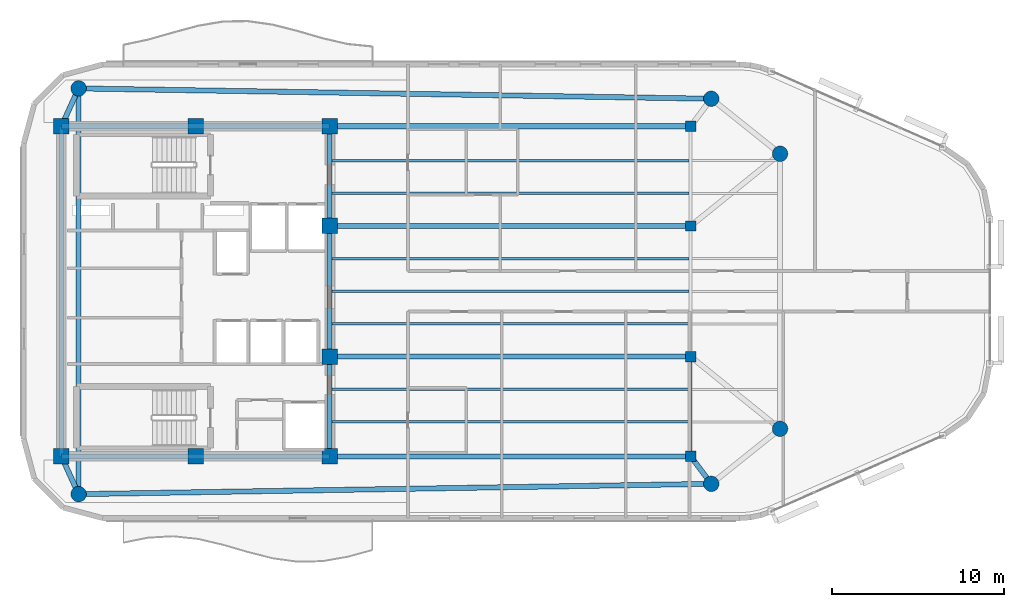
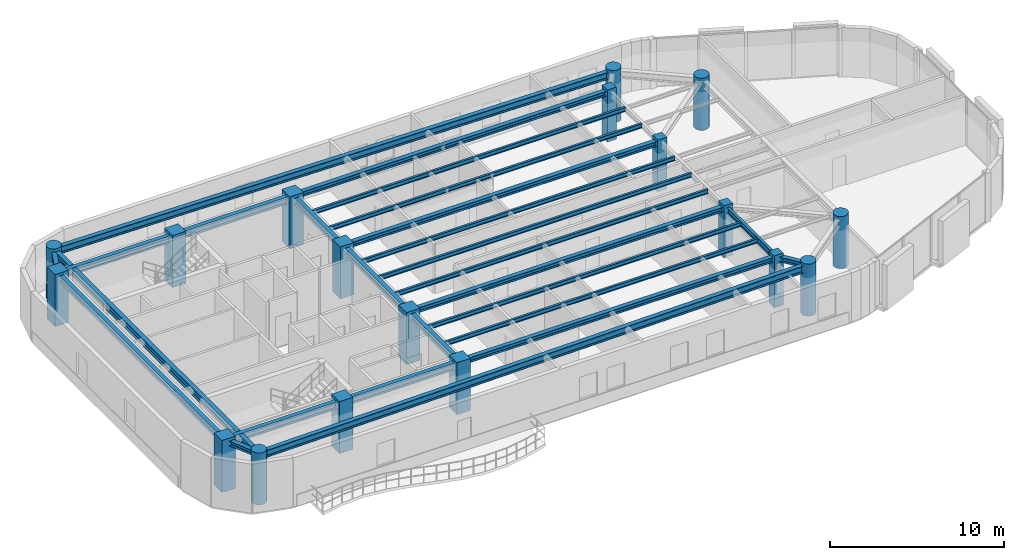
# One storey, part 1 of 14: 24 beams, 18 columns.
"""IFC4 building model written with IfcOpenShell, lengths in metres."""

from ifc_helpers import new_model, si_unit, direction, frame, origin, origin_2d, place, context, subcontext, project, spatial, rectangle, circle, i_section, extrude, material, material_profile, profile_set, type_object, element, save


model = new_model("IFC4")

# Units and contexts
model_context = context("Model", 3, precision=1e-05, world=origin(), true_north=direction((0.0, 1.0)))
body_context = subcontext(model_context, "Body", "Model", "MODEL_VIEW")
ifc_project = project(units=[si_unit("LENGTHUNIT", "METRE"), si_unit("AREAUNIT", "SQUARE_METRE"), si_unit("VOLUMEUNIT", "CUBIC_METRE"), si_unit("PLANEANGLEUNIT", "RADIAN"), si_unit("MASSUNIT", "GRAM", prefix="KILO")], contexts=[model_context])

# Site, building, storey
site_placement = place(None, origin())
site = spatial("IfcSite", under=ifc_project, at=site_placement, CompositionType="ELEMENT")
building_placement = place(site_placement, origin())
building = spatial("IfcBuilding", under=site, at=building_placement, Name="An Khanh Terracotta Commons", CompositionType="ELEMENT")
storey_placement = place(building_placement, frame((0.0, 0.0, 284.35009765625)))
storey = spatial("IfcBuildingStorey", under=building, at=storey_placement, Name="L74", CompositionType="ELEMENT", Elevation=284.35009765625)

# Columns
ifc_material_1 = material(Name="Concrete C50/60", Category="concrete")
ifc_material_profile_1 = material_profile(ifc_material_1, circle(Radius=0.449951171875, at=origin_2d()), Name="CFST900")
ifc_profile_set_1 = profile_set([ifc_material_profile_1], Name="Concrete C50/60")
column_type_1 = type_object("IfcColumnType", Name="COL-CFST900", PredefinedType="COLUMN", material=ifc_profile_set_1)
for number, where, z_axis, x_axis, name in (
    (1, (22.60009765625, 12.199951171875, 0.0), (0.0, 0.0, 1.0), (1.0, 0.0, 0.0), "L74 Perimeter CFST Mega-Column MC-01"),
    (2, (59.39990234375, 12.800048828125, 0.0), (0.0, 0.0, 1.0), (1.0, 0.0, 0.0), "L74 Perimeter CFST Mega-Column MC-02"),
    (3, (63.39990234375, 16.0, 0.0), (0.0, 0.0, 1.0), (1.0, 0.0, 0.0), "L74 Perimeter CFST Mega-Column MC-03"),
    (4, (63.39990234375, 32.0, 0.0), (0.0, 0.0, 1.0), (1.0, 0.0, 0.0), "L74 Perimeter CFST Mega-Column MC-04"),
    (5, (59.39990234375, 35.199951171875, 0.0), (0.0, 0.0, 1.0), (1.0, 0.0, 0.0), "L74 Perimeter CFST Mega-Column MC-05"),
    (6, (22.60009765625, 35.800048828125, 0.0), (0.0, 0.0, 1.0), (1.0, 0.0, 0.0), "L74 Perimeter CFST Mega-Column MC-06"),
):
    element("IfcColumn", number, at=place(storey_placement, frame(where, z_axis=z_axis, x_axis=x_axis)), inside=storey, type_object=column_type_1, Name=name, PredefinedType="COLUMN", context=body_context, shape_type="SweptSolid", body=[
        extrude(circle(Radius=0.449951171875, at=origin_2d()), origin(), (0.0, 0.0, 1.0), 3.64990234375),
    ])
ifc_material_profile_2 = material_profile(ifc_material_1, rectangle(XDim=0.60009765625, YDim=0.60009765625, at=origin_2d()), Name="RC600x600")
ifc_profile_set_2 = profile_set([ifc_material_profile_2], Name="Concrete C50/60")
column_type_2 = type_object("IfcColumnType", Name="COL-RC600x600", PredefinedType="COLUMN", material=ifc_profile_set_2)
for number, where, z_axis, x_axis, name in (
    (7, (58.199951171875, 14.39990234375, 0.0), (0.0, 0.0, 1.0), (1.0, 0.0, 0.0), "L74 Interior Frame Column TC-01"),
    (8, (58.199951171875, 20.199951171875, 0.0), (0.0, 0.0, 1.0), (1.0, 0.0, 0.0), "L74 Interior Frame Column TC-02"),
    (9, (58.199951171875, 27.800048828125, 0.0), (0.0, 0.0, 1.0), (1.0, 0.0, 0.0), "L74 Interior Frame Column TC-03"),
    (10, (58.199951171875, 33.60009765625, 0.0), (0.0, 0.0, 1.0), (1.0, 0.0, 0.0), "L74 Interior Frame Column TC-04"),
):
    element("IfcColumn", number, at=place(storey_placement, frame(where, z_axis=z_axis, x_axis=x_axis)), inside=storey, type_object=column_type_2, Name=name, PredefinedType="COLUMN", context=body_context, shape_type="SweptSolid", body=[
        extrude(rectangle(XDim=0.60009765625, YDim=0.60009765625, at=origin_2d()), origin(), (0.0, 0.0, 1.0), 3.64990234375),
    ])
ifc_material_profile_3 = material_profile(ifc_material_1, rectangle(XDim=0.89990234375, YDim=0.89990234375, at=origin_2d()), Name="RC900x900")
ifc_profile_set_3 = profile_set([ifc_material_profile_3], Name="Concrete C50/60")
column_type_3 = type_object("IfcColumnType", Name="COL-RC900x900", PredefinedType="COLUMN", material=ifc_profile_set_3)
for number, where, z_axis, x_axis, name in (
    (11, (21.60009765625, 14.39990234375, 0.0), (0.0, 0.0, 1.0), (1.0, 0.0, 0.0), "L74 Core Boundary Column CC-01"),
    (12, (29.39990234375, 14.39990234375, 0.0), (0.0, 0.0, 1.0), (1.0, 0.0, 0.0), "L74 Core Boundary Column CC-02"),
    (13, (37.199951171875, 14.39990234375, 0.0), (0.0, 0.0, 1.0), (1.0, 0.0, 0.0), "L74 Core Boundary Column CC-03"),
    (14, (37.199951171875, 20.199951171875, 0.0), (0.0, 0.0, 1.0), (1.0, 0.0, 0.0), "L74 Core Boundary Column CC-04"),
    (15, (37.199951171875, 27.800048828125, 0.0), (0.0, 0.0, 1.0), (1.0, 0.0, 0.0), "L74 Core Boundary Column CC-05"),
    (16, (37.199951171875, 33.60009765625, 0.0), (0.0, 0.0, 1.0), (1.0, 0.0, 0.0), "L74 Core Boundary Column CC-06"),
    (17, (29.39990234375, 33.60009765625, 0.0), (0.0, 0.0, 1.0), (1.0, 0.0, 0.0), "L74 Core Boundary Column CC-07"),
    (18, (21.60009765625, 33.60009765625, 0.0), (0.0, 0.0, 1.0), (1.0, 0.0, 0.0), "L74 Core Boundary Column CC-08"),
):
    element("IfcColumn", number, at=place(storey_placement, frame(where, z_axis=z_axis, x_axis=x_axis)), inside=storey, type_object=column_type_3, Name=name, PredefinedType="COLUMN", context=body_context, shape_type="SweptSolid", body=[
        extrude(rectangle(XDim=0.89990234375, YDim=0.89990234375, at=origin_2d()), origin(), (0.0, 0.0, 1.0), 3.64990234375),
    ])

# Beams
ifc_material_2 = material(Name="Steel S355J2", Category="steel")
ifc_material_profile_4 = material_profile(ifc_material_2, i_section(OverallWidth=0.300048828125, OverallDepth=0.340087890625, WebThickness=0.011962890625, FlangeThickness=0.021484375, FilletRadius=0.027099609375, at=origin_2d()), Name="HEB340")
ifc_profile_set_4 = profile_set([ifc_material_profile_4], Name="Steel S355J2")
beam_type_1 = type_object("IfcBeamType", Name="BM-HEB340", PredefinedType="BEAM", material=ifc_profile_set_4)
for number, where, z_axis, x_axis, name in (
    (19, (37.199951171875, 14.39990234375, 3.27978515625), (1.0, 0.0, 0.0), (0.0, 1.0, 0.0), "L74 East Primary Floor Girder 1"),
    (20, (37.199951171875, 20.199951171875, 3.27978515625), (1.0, 0.0, 0.0), (0.0, 1.0, 0.0), "L74 East Primary Floor Girder 2"),
    (21, (37.199951171875, 27.800048828125, 3.27978515625), (1.0, 0.0, 0.0), (0.0, 1.0, 0.0), "L74 East Primary Floor Girder 3"),
    (22, (37.199951171875, 33.60009765625, 3.27978515625), (1.0, 0.0, 0.0), (0.0, 1.0, 0.0), "L74 East Primary Floor Girder 4"),
):
    element("IfcBeam", number, at=place(storey_placement, frame(where, z_axis=z_axis, x_axis=x_axis)), inside=storey, type_object=beam_type_1, Name=name, PredefinedType="BEAM", context=body_context, shape_type="SweptSolid", body=[
        extrude(i_section(OverallWidth=0.300048828125, OverallDepth=0.340087890625, WebThickness=0.011962890625, FlangeThickness=0.021484375, FilletRadius=0.027099609375, at=origin_2d()), origin(), (0.0, 0.0, 1.0), 21.0),
    ])
beam_1_placement = place(storey_placement, frame((22.60009765625, 12.199951171875, 3.27978515625), z_axis=(-0.413810555983, 0.910363017569, 0.0), x_axis=(-0.910363017569, -0.413810555983, 0.0)))
element("IfcBeam", 23, at=beam_1_placement, inside=storey, type_object=beam_type_1, Name="L74 Mega-Column Tie Girder 1", PredefinedType="BEAM", context=body_context, shape_type="SweptSolid", body=[
    extrude(i_section(OverallWidth=0.300048828125, OverallDepth=0.340087890625, WebThickness=0.011962890625, FlangeThickness=0.021484375, FilletRadius=0.027099609375, at=origin_2d()), origin(), (0.0, 0.0, 1.0), 2.41650390625),
])
beam_2_placement = place(storey_placement, frame((59.39990234375, 12.800048828125, 3.27978515625), z_axis=(-0.600019532502, 0.799985350251, 0.0), x_axis=(-0.799985350251, -0.600019532502, 0.0)))
element("IfcBeam", 24, at=beam_2_placement, inside=storey, type_object=beam_type_1, Name="L74 Mega-Column Tie Girder 2", PredefinedType="BEAM", context=body_context, shape_type="SweptSolid", body=[
    extrude(i_section(OverallWidth=0.300048828125, OverallDepth=0.340087890625, WebThickness=0.011962890625, FlangeThickness=0.021484375, FilletRadius=0.027099609375, at=origin_2d()), origin(), (0.0, 0.0, 1.0), 1.999755859375),
])
beam_3_placement = place(storey_placement, frame((22.60009765625, 35.800048828125, 3.27978515625), z_axis=(-0.413810555983, -0.910363017569, 0.0), x_axis=(0.910363017569, -0.413810555983, 0.0)))
element("IfcBeam", 25, at=beam_3_placement, inside=storey, type_object=beam_type_1, Name="L74 Mega-Column Tie Girder 6", PredefinedType="BEAM", context=body_context, shape_type="SweptSolid", body=[
    extrude(i_section(OverallWidth=0.300048828125, OverallDepth=0.340087890625, WebThickness=0.011962890625, FlangeThickness=0.021484375, FilletRadius=0.027099609375, at=origin_2d()), origin(), (0.0, 0.0, 1.0), 2.41650390625),
])
ifc_material_profile_5 = material_profile(ifc_material_2, i_section(OverallWidth=0.300048828125, OverallDepth=0.449951171875, WebThickness=0.013916015625, FlangeThickness=0.02587890625, FilletRadius=0.027099609375, at=origin_2d()), Name="HEB450")
ifc_profile_set_5 = profile_set([ifc_material_profile_5], Name="Steel S355J2")
beam_type_2 = type_object("IfcBeamType", Name="BM-HEB450", PredefinedType="BEAM", material=ifc_profile_set_5)
beam_4_placement = place(storey_placement, frame((37.199951171875, 14.39990234375, 3.224853515625), z_axis=(0.0, 1.0, 0.0), x_axis=(-1.0, 0.0, 0.0)))
element("IfcBeam", 26, at=beam_4_placement, inside=storey, type_object=beam_type_2, Name="L74 Core East Coupling Girder 1", PredefinedType="BEAM", context=body_context, shape_type="SweptSolid", body=[
    extrude(i_section(OverallWidth=0.300048828125, OverallDepth=0.449951171875, WebThickness=0.013916015625, FlangeThickness=0.02587890625, FilletRadius=0.027099609375, at=origin_2d()), origin(), (0.0, 0.0, 1.0), 5.800048828125),
])
beam_5_placement = place(storey_placement, frame((37.199951171875, 20.199951171875, 3.224853515625), z_axis=(0.0, 1.0, 0.0), x_axis=(-1.0, 0.0, 0.0)))
element("IfcBeam", 27, at=beam_5_placement, inside=storey, type_object=beam_type_2, Name="L74 Core East Coupling Girder 2", PredefinedType="BEAM", context=body_context, shape_type="SweptSolid", body=[
    extrude(i_section(OverallWidth=0.300048828125, OverallDepth=0.449951171875, WebThickness=0.013916015625, FlangeThickness=0.02587890625, FilletRadius=0.027099609375, at=origin_2d()), origin(), (0.0, 0.0, 1.0), 7.60009765625),
])
beam_6_placement = place(storey_placement, frame((37.199951171875, 27.800048828125, 3.224853515625), z_axis=(0.0, 1.0, 0.0), x_axis=(-1.0, 0.0, 0.0)))
element("IfcBeam", 28, at=beam_6_placement, inside=storey, type_object=beam_type_2, Name="L74 Core East Coupling Girder 3", PredefinedType="BEAM", context=body_context, shape_type="SweptSolid", body=[
    extrude(i_section(OverallWidth=0.300048828125, OverallDepth=0.449951171875, WebThickness=0.013916015625, FlangeThickness=0.02587890625, FilletRadius=0.027099609375, at=origin_2d()), origin(), (0.0, 0.0, 1.0), 5.800048828125),
])
beam_7_placement = place(storey_placement, frame((21.60009765625, 14.39990234375, 3.224853515625), z_axis=(0.0, 1.0, 0.0), x_axis=(-1.0, 0.0, 0.0)))
element("IfcBeam", 29, at=beam_7_placement, inside=storey, type_object=beam_type_2, Name="L74 Core West Coupling Girder", PredefinedType="BEAM", context=body_context, shape_type="SweptSolid", body=[
    extrude(i_section(OverallWidth=0.300048828125, OverallDepth=0.449951171875, WebThickness=0.013916015625, FlangeThickness=0.02587890625, FilletRadius=0.027099609375, at=origin_2d()), origin(), (0.0, 0.0, 1.0), 19.2001953125),
])
ifc_material_profile_6 = material_profile(ifc_material_2, i_section(OverallWidth=0.300048828125, OverallDepth=0.5, WebThickness=0.014404296875, FlangeThickness=0.028076171875, FilletRadius=0.027099609375, at=origin_2d()), Name="HEB500")
ifc_profile_set_6 = profile_set([ifc_material_profile_6], Name="Steel S355J2")
beam_type_3 = type_object("IfcBeamType", Name="BM-HEB500", PredefinedType="BEAM", material=ifc_profile_set_6)
for number, where, z_axis, x_axis, name in (
    (30, (21.60009765625, 14.39990234375, 3.199951171875), (1.0, 0.0, 0.0), (0.0, 1.0, 0.0), "L74 Core South Coupling Girder"),
    (31, (21.60009765625, 33.60009765625, 3.199951171875), (1.0, 0.0, 0.0), (0.0, 1.0, 0.0), "L74 Core North Coupling Girder"),
):
    element("IfcBeam", number, at=place(storey_placement, frame(where, z_axis=z_axis, x_axis=x_axis)), inside=storey, type_object=beam_type_3, Name=name, PredefinedType="BEAM", context=body_context, shape_type="SweptSolid", body=[
        extrude(i_section(OverallWidth=0.300048828125, OverallDepth=0.5, WebThickness=0.014404296875, FlangeThickness=0.028076171875, FilletRadius=0.027099609375, at=origin_2d()), origin(), (0.0, 0.0, 1.0), 15.599853515625),
    ])
for number, where, z_axis, x_axis, name in (
    (32, (22.60009765625, 12.199951171875, 3.199951171875), (0.999867065951, 0.01630492031, 0.0), (-0.01630492031, 0.999867065951, 0.0), "L74 Perimeter Ring Spandrel 1"),
    (33, (59.39990234375, 35.199951171875, 3.199951171875), (-0.999867065951, 0.01630492031, 0.0), (-0.01630492031, -0.999867065951, 0.0), "L74 Perimeter Ring Spandrel 5"),
):
    element("IfcBeam", number, at=place(storey_placement, frame(where, z_axis=z_axis, x_axis=x_axis)), inside=storey, type_object=beam_type_3, Name=name, PredefinedType="BEAM", context=body_context, shape_type="SweptSolid", body=[
        extrude(i_section(OverallWidth=0.300048828125, OverallDepth=0.5, WebThickness=0.014404296875, FlangeThickness=0.028076171875, FilletRadius=0.027099609375, at=origin_2d()), origin(), (0.0, 0.0, 1.0), 36.8046875),
    ])
beam_8_placement = place(storey_placement, frame((22.60009765625, 35.800048828125, 3.199951171875), z_axis=(0.0, -1.0, 0.0), x_axis=(1.0, 0.0, 0.0)))
element("IfcBeam", 34, at=beam_8_placement, inside=storey, type_object=beam_type_3, Name="L74 Perimeter Ring Spandrel 6", PredefinedType="BEAM", context=body_context, shape_type="SweptSolid", body=[
    extrude(i_section(OverallWidth=0.300048828125, OverallDepth=0.5, WebThickness=0.014404296875, FlangeThickness=0.028076171875, FilletRadius=0.027099609375, at=origin_2d()), origin(), (0.0, 0.0, 1.0), 23.60009765625),
])
ifc_material_profile_7 = material_profile(ifc_material_2, i_section(OverallWidth=0.14990234375, OverallDepth=0.300048828125, WebThickness=0.007080078125, FlangeThickness=0.0107421875, FilletRadius=0.014892578125, at=origin_2d()), Name="IPE300")
ifc_profile_set_7 = profile_set([ifc_material_profile_7], Name="Steel S355J2")
beam_type_4 = type_object("IfcBeamType", Name="BM-IPE300", PredefinedType="JOIST", material=ifc_profile_set_7)
for number, where, z_axis, x_axis, name in (
    (35, (37.199951171875, 16.39990234375, 3.2998046875), (1.0, 0.0, 0.0), (0.0, 1.0, 0.0), "L74 Inboard Composite Joist 1"),
    (36, (37.199951171875, 18.300048828125, 3.2998046875), (1.0, 0.0, 0.0), (0.0, 1.0, 0.0), "L74 Inboard Composite Joist 2"),
    (37, (37.199951171875, 22.10009765625, 3.2998046875), (1.0, 0.0, 0.0), (0.0, 1.0, 0.0), "L74 Inboard Composite Joist 3"),
    (38, (37.199951171875, 24.0, 3.2998046875), (1.0, 0.0, 0.0), (0.0, 1.0, 0.0), "L74 Inboard Composite Joist 4"),
    (39, (37.199951171875, 25.89990234375, 3.2998046875), (1.0, 0.0, 0.0), (0.0, 1.0, 0.0), "L74 Inboard Composite Joist 5"),
    (40, (37.199951171875, 29.699951171875, 3.2998046875), (1.0, 0.0, 0.0), (0.0, 1.0, 0.0), "L74 Inboard Composite Joist 6"),
    (41, (37.199951171875, 31.60009765625, 3.2998046875), (1.0, 0.0, 0.0), (0.0, 1.0, 0.0), "L74 Inboard Composite Joist 7"),
):
    element("IfcBeam", number, at=place(storey_placement, frame(where, z_axis=z_axis, x_axis=x_axis)), inside=storey, type_object=beam_type_4, Name=name, PredefinedType="JOIST", context=body_context, shape_type="SweptSolid", body=[
        extrude(i_section(OverallWidth=0.14990234375, OverallDepth=0.300048828125, WebThickness=0.007080078125, FlangeThickness=0.0107421875, FilletRadius=0.014892578125, at=origin_2d()), origin(), (0.0, 0.0, 1.0), 20.91015625),
    ])
ifc_material_profile_8 = material_profile(ifc_material_2, i_section(OverallWidth=0.179931640625, OverallDepth=0.39990234375, WebThickness=0.008544921875, FlangeThickness=0.013427734375, FilletRadius=0.02099609375, at=origin_2d()), Name="IPE400")
ifc_profile_set_8 = profile_set([ifc_material_profile_8], Name="Steel S355J2")
beam_type_5 = type_object("IfcBeamType", Name="BM-IPE400", PredefinedType="JOIST", material=ifc_profile_set_8)
beam_9_placement = place(storey_placement, frame((58.199951171875, 14.550048828125, 3.25), z_axis=(0.0, 1.0, 0.0), x_axis=(-1.0, 0.0, 0.0)))
element("IfcBeam", 42, at=beam_9_placement, inside=storey, type_object=beam_type_5, Name="L74 East Spine Girder 1", PredefinedType="JOIST", context=body_context, shape_type="SweptSolid", body=[
    extrude(i_section(OverallWidth=0.179931640625, OverallDepth=0.39990234375, WebThickness=0.008544921875, FlangeThickness=0.013427734375, FilletRadius=0.02099609375, at=origin_2d()), origin(), (0.0, 0.0, 1.0), 5.5),
])

save(model, "model.ifc")
